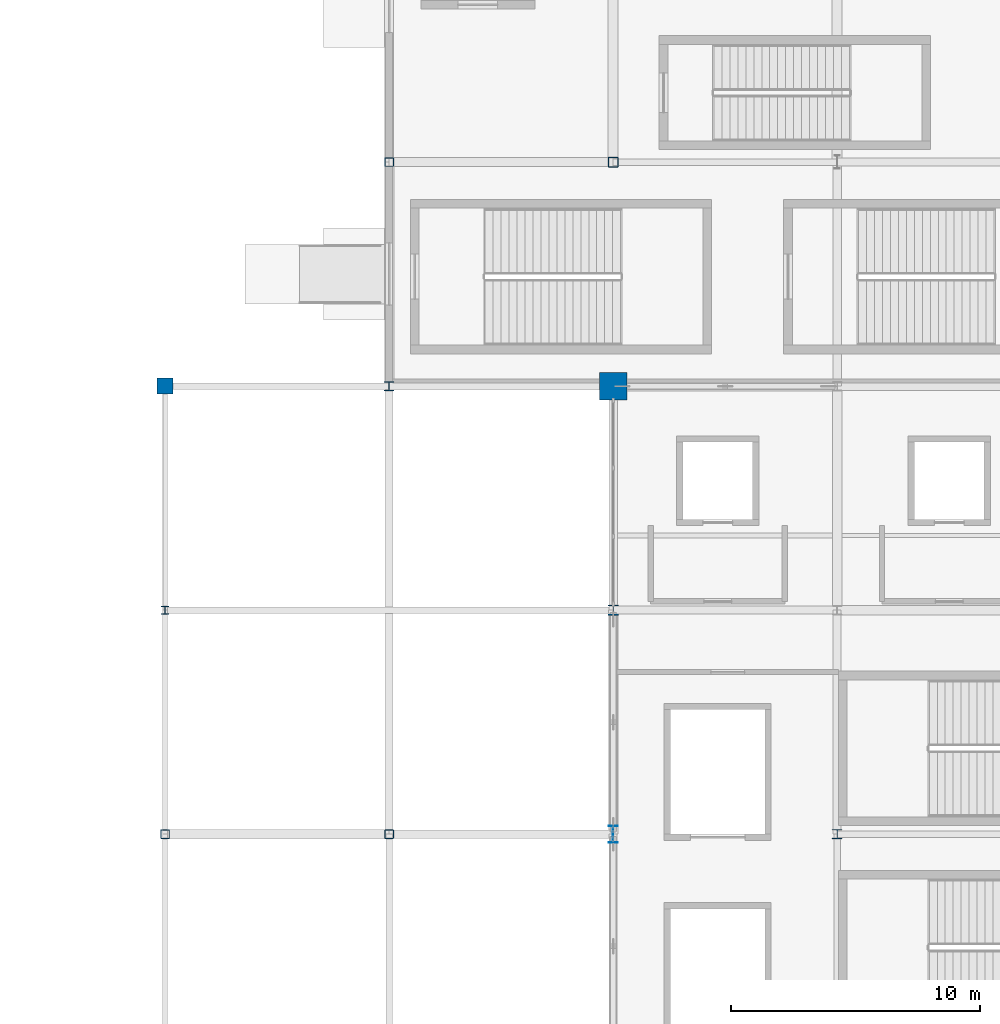
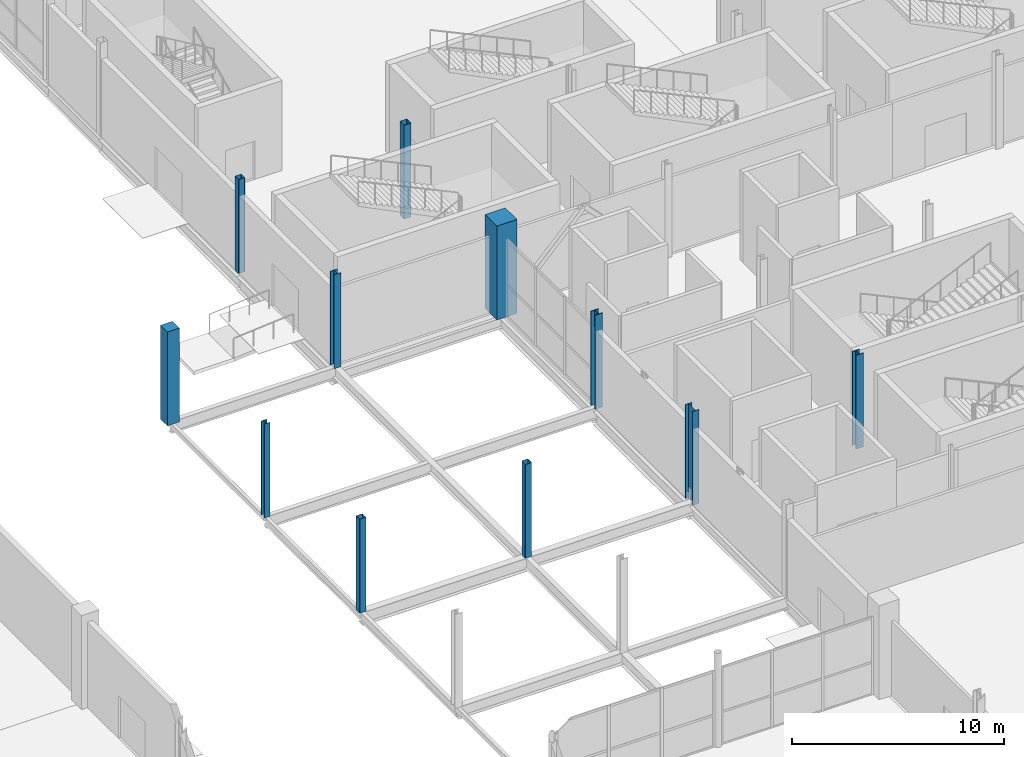
# One storey, part 19 of 94: 11 columns.
"""IFC4 building model written with IfcOpenShell, lengths in metres."""

from ifc_helpers import new_model, si_unit, direction, frame, origin, origin_2d, place, context, subcontext, project, spatial, rectangle, hollow_rectangle, i_section, extrude, material, material_profile, profile_set, type_object, element, save


model = new_model("IFC4")

# Units and contexts
model_context = context("Model", 3, precision=1e-05, world=origin(), true_north=direction((0.0, 1.0)))
body_context = subcontext(model_context, "Body", "Model", "MODEL_VIEW")
ifc_project = project(units=[si_unit("LENGTHUNIT", "METRE"), si_unit("AREAUNIT", "SQUARE_METRE"), si_unit("VOLUMEUNIT", "CUBIC_METRE"), si_unit("PLANEANGLEUNIT", "RADIAN"), si_unit("MASSUNIT", "GRAM", prefix="KILO")], contexts=[model_context])

# Site, building, storey
site_placement = place(None, origin())
site = spatial("IfcSite", under=ifc_project, at=site_placement, CompositionType="ELEMENT")
building_placement = place(site_placement, origin())
building = spatial("IfcBuilding", under=site, at=building_placement, Name="Qamarlyn Nura Convention Centre", CompositionType="ELEMENT")
storey_placement = place(building_placement, origin())
storey = spatial("IfcBuildingStorey", under=building, at=storey_placement, Name="L00", CompositionType="ELEMENT", Elevation=0.0)

# Columns
ifc_material_1 = material(Name="Steel ASTM A500 Grade C", Category="steel")
ifc_material_profile_1 = material_profile(ifc_material_1, hollow_rectangle(XDim=0.39990234375, YDim=0.39990234375, WallThickness=0.01611328125, InnerFilletRadius=0.01611328125, OuterFilletRadius=0.031982421875, at=origin_2d()), Name="HSS400X400X16")
ifc_profile_set_1 = profile_set([ifc_material_profile_1], Name="Steel ASTM A500 Grade C")
column_type_1 = type_object("IfcColumnType", Name="COL-HSS-1", PredefinedType="COLUMN", material=ifc_profile_set_1)
column_1_placement = place(storey_placement, frame((153.0, 90.0, 0.0), z_axis=(0.0, 0.0, 1.0), x_axis=(1.0, 0.0, 0.0)))
element("IfcColumn", 1, at=column_1_placement, inside=storey, type_object=column_type_1, Name="L00 column 13/L", PredefinedType="COLUMN", context=body_context, shape_type="SweptSolid", body=[
    extrude(hollow_rectangle(XDim=0.39990234375, YDim=0.39990234375, WallThickness=0.01611328125, InnerFilletRadius=0.01611328125, OuterFilletRadius=0.031982421875, at=origin_2d()), origin(), (0.0, 0.0, 1.0), 5.39990234375),
])
ifc_material_profile_2 = material_profile(ifc_material_1, hollow_rectangle(XDim=0.35009765625, YDim=0.35009765625, WallThickness=0.012451171875, InnerFilletRadius=0.012451171875, OuterFilletRadius=0.02490234375, at=origin_2d()), Name="HSS350X350X12.5")
ifc_profile_set_2 = profile_set([ifc_material_profile_2], Name="Steel ASTM A500 Grade C")
column_type_2 = type_object("IfcColumnType", Name="COL-HSS-2", PredefinedType="COLUMN", material=ifc_profile_set_2)
for number, where, z_axis, x_axis, name in (
    (2, (135.0, 63.0, 0.0), (0.0, 0.0, 1.0), (1.0, 0.0, 0.0), "L00 column 11/H"),
    (3, (144.0, 63.0, 0.0), (0.0, 0.0, 1.0), (1.0, 0.0, 0.0), "L00 column 12/H"),
    (4, (144.0, 90.0, 0.0), (0.0, 0.0, 1.0), (1.0, 0.0, 0.0), "L00 column 12/L"),
):
    element("IfcColumn", number, at=place(storey_placement, frame(where, z_axis=z_axis, x_axis=x_axis)), inside=storey, type_object=column_type_2, Name=name, PredefinedType="COLUMN", context=body_context, shape_type="SweptSolid", body=[
        extrude(hollow_rectangle(XDim=0.35009765625, YDim=0.35009765625, WallThickness=0.012451171875, InnerFilletRadius=0.012451171875, OuterFilletRadius=0.02490234375, at=origin_2d()), origin(), (0.0, 0.0, 1.0), 5.39990234375),
    ])
ifc_material_2 = material(Name="Steel ASTM A992", Category="steel")
ifc_material_profile_3 = material_profile(ifc_material_2, i_section(OverallWidth=0.408935546875, OverallDepth=0.425048828125, WebThickness=0.030517578125, FlangeThickness=0.049072265625, FilletRadius=0.02001953125, at=origin_2d()), Name="W360X421")
ifc_profile_set_3 = profile_set([ifc_material_profile_3], Name="Steel ASTM A992")
column_type_3 = type_object("IfcColumnType", Name="COL-MEGA-1", PredefinedType="COLUMN", material=ifc_profile_set_3)
column_2_placement = place(storey_placement, frame((153.0, 72.0, 0.0), z_axis=(0.0, 0.0, 1.0), x_axis=(1.0, 0.0, 0.0)))
element("IfcColumn", 5, at=column_2_placement, inside=storey, type_object=column_type_3, Name="L00 column 13/J", PredefinedType="COLUMN", context=body_context, shape_type="SweptSolid", body=[
    extrude(i_section(OverallWidth=0.408935546875, OverallDepth=0.425048828125, WebThickness=0.030517578125, FlangeThickness=0.049072265625, FilletRadius=0.02001953125, at=origin_2d()), origin(), (0.0, 0.0, 1.0), 5.39990234375),
])
ifc_material_3 = material(Name="Concrete C50/60", Category="concrete")
ifc_material_profile_4 = material_profile(ifc_material_3, rectangle(XDim=1.10009765625, YDim=1.10009765625, at=origin_2d()), Name="RC 1100x1100")
ifc_profile_set_4 = profile_set([ifc_material_profile_4], Name="Concrete C50/60")
column_type_4 = type_object("IfcColumnType", Name="COL-MEGA-2", PredefinedType="COLUMN", material=ifc_profile_set_4)
column_3_placement = place(storey_placement, frame((153.0, 81.0, 0.0), z_axis=(0.0, 0.0, 1.0), x_axis=(1.0, 0.0, 0.0)))
element("IfcColumn", 6, at=column_3_placement, inside=storey, type_object=column_type_4, Name="L00 column 13/K", PredefinedType="COLUMN", context=body_context, shape_type="SweptSolid", body=[
    extrude(rectangle(XDim=1.10009765625, YDim=1.10009765625, at=origin_2d()), origin(), (0.0, 0.0, 1.0), 5.39990234375),
])
ifc_material_profile_5 = material_profile(ifc_material_3, rectangle(XDim=0.64990234375, YDim=0.64990234375, at=origin_2d()), Name="RC 650x650")
ifc_profile_set_5 = profile_set([ifc_material_profile_5], Name="Concrete C50/60")
column_type_5 = type_object("IfcColumnType", Name="COL-SUB-3", PredefinedType="COLUMN", material=ifc_profile_set_5)
column_4_placement = place(storey_placement, frame((135.0, 81.0, 0.0), z_axis=(0.0, 0.0, 1.0), x_axis=(1.0, 0.0, 0.0)))
element("IfcColumn", 7, at=column_4_placement, inside=storey, type_object=column_type_5, Name="L00 column 11/K", PredefinedType="COLUMN", context=body_context, shape_type="SweptSolid", body=[
    extrude(rectangle(XDim=0.64990234375, YDim=0.64990234375, at=origin_2d()), origin(), (0.0, 0.0, 1.0), 5.39990234375),
])
ifc_material_profile_6 = material_profile(ifc_material_2, i_section(OverallWidth=0.39892578125, OverallDepth=0.39306640625, WebThickness=0.022705078125, FlangeThickness=0.03662109375, FilletRadius=0.01806640625, at=origin_2d()), Name="W360X287")
ifc_profile_set_6 = profile_set([ifc_material_profile_6], Name="Steel ASTM A992")
column_type_6 = type_object("IfcColumnType", Name="COL-WING-1", PredefinedType="COLUMN", material=ifc_profile_set_6)
column_5_placement = place(storey_placement, frame((162.0, 63.0, 0.0), z_axis=(0.0, 0.0, 1.0), x_axis=(1.0, 0.0, 0.0)))
element("IfcColumn", 8, at=column_5_placement, inside=storey, type_object=column_type_6, Name="L00 column 14/H", PredefinedType="COLUMN", context=body_context, shape_type="SweptSolid", body=[
    extrude(i_section(OverallWidth=0.39892578125, OverallDepth=0.39306640625, WebThickness=0.022705078125, FlangeThickness=0.03662109375, FilletRadius=0.01806640625, at=origin_2d()), origin(), (0.0, 0.0, 1.0), 5.39990234375),
])
ifc_material_profile_7 = material_profile(ifc_material_2, i_section(OverallWidth=0.3740234375, OverallDepth=0.3720703125, WebThickness=0.016357421875, FlangeThickness=0.026123046875, FilletRadius=0.01611328125, at=origin_2d()), Name="W360X196")
ifc_profile_set_7 = profile_set([ifc_material_profile_7], Name="Steel ASTM A992")
column_type_7 = type_object("IfcColumnType", Name="COL-WING-2", PredefinedType="COLUMN", material=ifc_profile_set_7)
column_6_placement = place(storey_placement, frame((144.0, 81.0, 0.0), z_axis=(0.0, 0.0, 1.0), x_axis=(1.0, 0.0, 0.0)))
element("IfcColumn", 9, at=column_6_placement, inside=storey, type_object=column_type_7, Name="L00 column 12/K", PredefinedType="COLUMN", context=body_context, shape_type="SweptSolid", body=[
    extrude(i_section(OverallWidth=0.3740234375, OverallDepth=0.3720703125, WebThickness=0.016357421875, FlangeThickness=0.026123046875, FilletRadius=0.01611328125, at=origin_2d()), origin(), (0.0, 0.0, 1.0), 5.39990234375),
])
ifc_material_profile_8 = material_profile(ifc_material_2, i_section(OverallWidth=0.304931640625, OverallDepth=0.30810546875, WebThickness=0.010009765625, FlangeThickness=0.015380859375, FilletRadius=0.014892578125, at=origin_2d()), Name="W310X97")
ifc_profile_set_8 = profile_set([ifc_material_profile_8], Name="Steel ASTM A992")
column_type_8 = type_object("IfcColumnType", Name="COL-WING-4", PredefinedType="COLUMN", material=ifc_profile_set_8)
column_7_placement = place(storey_placement, frame((135.0, 72.0, 0.0), z_axis=(0.0, 0.0, 1.0), x_axis=(1.0, 0.0, 0.0)))
element("IfcColumn", 10, at=column_7_placement, inside=storey, type_object=column_type_8, Name="L00 column 11/J", PredefinedType="COLUMN", context=body_context, shape_type="SweptSolid", body=[
    extrude(i_section(OverallWidth=0.304931640625, OverallDepth=0.30810546875, WebThickness=0.010009765625, FlangeThickness=0.015380859375, FilletRadius=0.014892578125, at=origin_2d()), origin(), (0.0, 0.0, 1.0), 5.39990234375),
])
ifc_material_profile_9 = material_profile(ifc_material_2, i_section(OverallWidth=0.35498046875, OverallDepth=0.695068359375, WebThickness=0.015380859375, FlangeThickness=0.02490234375, FilletRadius=0.01806640625, at=origin_2d()), Name="W690X217")
ifc_profile_set_9 = profile_set([ifc_material_profile_9], Name="Steel ASTM A992")
column_type_9 = type_object("IfcColumnType", Name="COL-WING-5", PredefinedType="COLUMN", material=ifc_profile_set_9)
column_8_placement = place(storey_placement, frame((153.0, 63.0, 0.0), z_axis=(0.0, 0.0, 1.0), x_axis=(1.0, 0.0, 0.0)))
element("IfcColumn", 11, at=column_8_placement, inside=storey, type_object=column_type_9, Name="L00 column 13/H", PredefinedType="COLUMN", context=body_context, shape_type="SweptSolid", body=[
    extrude(i_section(OverallWidth=0.35498046875, OverallDepth=0.695068359375, WebThickness=0.015380859375, FlangeThickness=0.02490234375, FilletRadius=0.01806640625, at=origin_2d()), origin(), (0.0, 0.0, 1.0), 5.39990234375),
])

save(model, "model.ifc")
